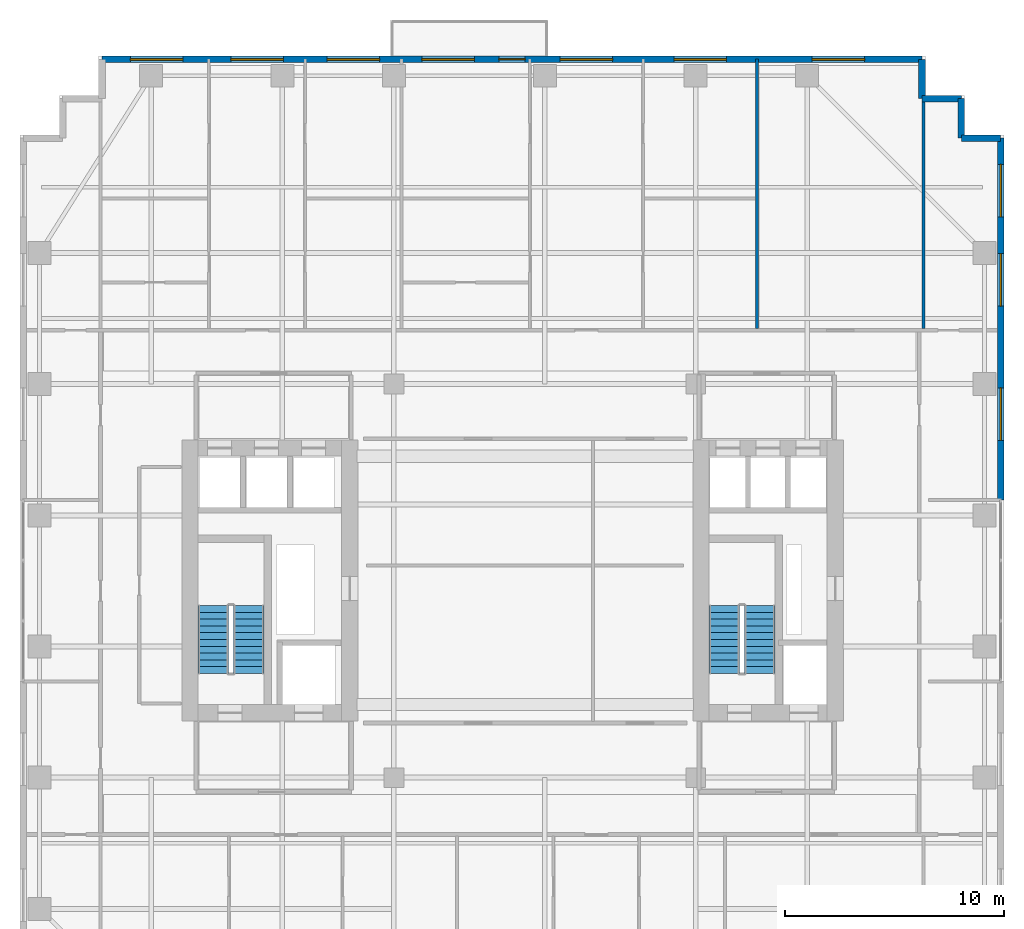
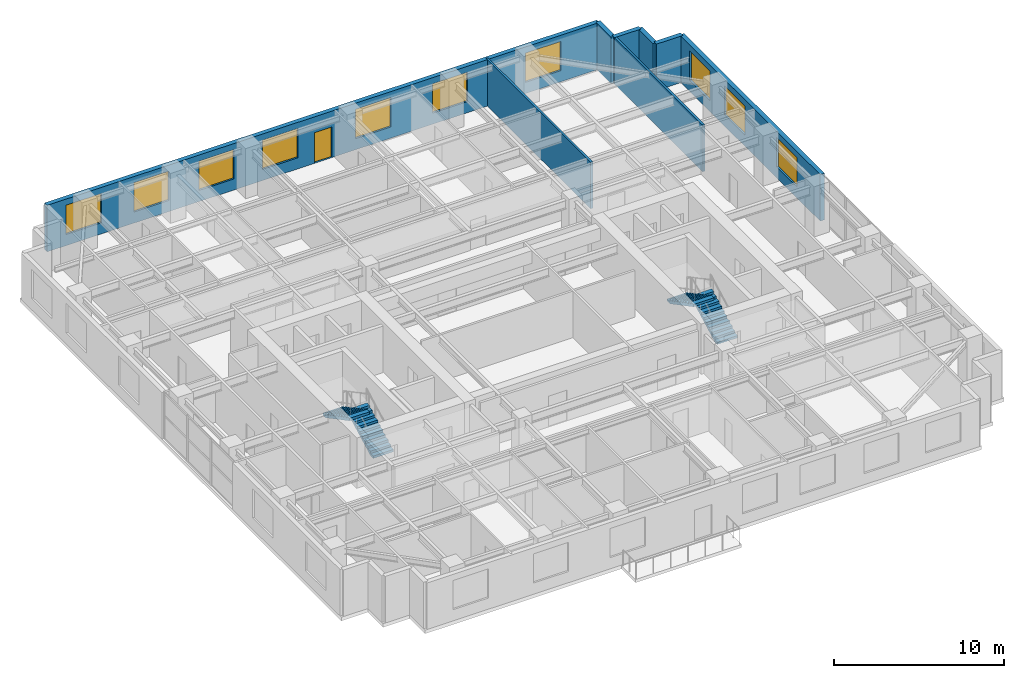
# One storey, part 12 of 16: 10 windows, 8 walls, 4 stair flights, 1 door, 11 openings, 2 elements without a shape of their own.
"""IFC4 building model written with IfcOpenShell, lengths in metres."""

from ifc_helpers import new_model, si_unit, direction, frame, frame_2d, origin, place, context, subcontext, project, spatial, polyline, rectangle, outline, extrude, source, transform, mapped, material, layer, layer_set, type_object, element, fill, aggregate, save


model = new_model("IFC4")

# Units and contexts
model_context = context("Model", 3, precision=1e-05, world=origin(), true_north=direction((0.0, 1.0)))
body_context = subcontext(model_context, "Body", "Model", "MODEL_VIEW")
ifc_project = project(units=[si_unit("LENGTHUNIT", "METRE"), si_unit("AREAUNIT", "SQUARE_METRE"), si_unit("VOLUMEUNIT", "CUBIC_METRE"), si_unit("PLANEANGLEUNIT", "RADIAN"), si_unit("MASSUNIT", "GRAM", prefix="KILO")], contexts=[model_context])

# Site, building, storey
site_placement = place(None, origin())
site = spatial("IfcSite", under=ifc_project, at=site_placement, CompositionType="ELEMENT")
building_placement = place(site_placement, origin())
building = spatial("IfcBuilding", under=site, at=building_placement, Name="Khoralis Quay Care Tower", CompositionType="ELEMENT")
storey_placement = place(building_placement, frame((0.0, 0.0, 137.699951171875)))
storey = spatial("IfcBuildingStorey", under=building, at=storey_placement, Name="L36", CompositionType="ELEMENT", Elevation=137.699951171875)

# Wall, openings, windows
ifc_material_1 = material(Name="Precast concrete C45/55", Category="concrete")
ifc_layer_1 = layer(ifc_material_1, 0.300048828125)
ifc_layer_set_1 = layer_set([ifc_layer_1], Name="Precast concrete C45/55")
wall_type_1 = type_object("IfcWallType", Name="WL-EXT-REF-300", PredefinedType="SOLIDWALL", material=ifc_layer_set_1)
wall_1_placement = place(storey_placement, frame((44.85009765625, 24.699951171875, 0.0), z_axis=(0.0, 0.0, 1.0), x_axis=(0.0, 1.0, 0.0)))
wall_1 = element("IfcWall", 1, at=wall_1_placement, inside=storey, type_object=wall_type_1, Name="L36 External Facade Wall WL-EXT-L36-P1-E5B", PredefinedType="SOLIDWALL", context=body_context, shape_type="SweptSolid", body=[
    extrude(rectangle(XDim=16.550048828125, YDim=0.300048828125, at=frame_2d((8.27490234375, 0.0))), origin(), (0.0, 0.0, 1.0), 3.340087890625),
])
opening_1_placement = place(wall_1_placement, frame((2.72998046875, 0.0, 0.800048828125)))
opening_1 = element("IfcOpeningElement", 2, at=opening_1_placement, cuts=wall_1, Name="Opening W1", PredefinedType="OPENING", context=body_context, shape_type="SweptSolid", body=[
    extrude(rectangle(XDim=2.39990234375, YDim=2.10009765625, at=frame_2d((1.199951171875, 1.050048828125))), frame((0.0, 0.16015625, 0.0), z_axis=(0.0, -1.0, 0.0), x_axis=(1.0, 0.0, 0.0)), (0.0, 0.0, 1.0), 0.320068359375),
])
opening_2_placement = place(wall_1_placement, frame((8.862548828125, 0.0, 0.800048828125)))
opening_2 = element("IfcOpeningElement", 3, at=opening_2_placement, cuts=wall_1, Name="Opening W1", PredefinedType="OPENING", context=body_context, shape_type="SweptSolid", body=[
    extrude(rectangle(XDim=2.39990234375, YDim=2.10009765625, at=frame_2d((1.199951171875, 1.050048828125))), frame((0.0, 0.16015625, 0.0), z_axis=(0.0, -1.0, 0.0), x_axis=(1.0, 0.0, 0.0)), (0.0, 0.0, 1.0), 0.320068359375),
])
opening_3_placement = place(wall_1_placement, frame((12.947509765625, 0.0, 0.800048828125)))
opening_3 = element("IfcOpeningElement", 4, at=opening_3_placement, cuts=wall_1, Name="Opening W1", PredefinedType="OPENING", context=body_context, shape_type="SweptSolid", body=[
    extrude(rectangle(XDim=2.39990234375, YDim=2.10009765625, at=frame_2d((1.199951171875, 1.050048828125))), frame((0.0, 0.16015625, 0.0), z_axis=(0.0, -1.0, 0.0), x_axis=(1.0, 0.0, 0.0)), (0.0, 0.0, 1.0), 0.320068359375),
])
ifc_material_2 = material(Name="Low-E solar-control double glazing", Category="glass")
window_type = type_object("IfcWindowType", Name="WN-POD-2400X2100", PartitioningType="SINGLE_PANEL", PredefinedType="WINDOW", material=ifc_material_2)
shared_shape_1 = source(origin(), body_context, "Body", "SweptSolid", [
    extrude(rectangle(XDim=2.39990234375, YDim=2.10009765625, at=frame_2d((1.199951171875, 1.050048828125))), frame((0.0, 0.030029296875, 0.0), z_axis=(0.0, -1.0, 0.0), x_axis=(1.0, 0.0, 0.0)), (0.0, 0.0, 1.0), 0.06005859375),
])
window_1_placement = place(opening_1_placement, origin())
window_1 = element("IfcWindow", 5, at=window_1_placement, inside=storey, type_object=window_type, Name="WN-L36-P1-E5B Facade Window 01", OverallHeight=2.10009765625, OverallWidth=2.39990234375, PartitioningType="SINGLE_PANEL", PredefinedType="WINDOW", context=body_context, shape_type="MappedRepresentation", body=[
    mapped(shared_shape_1, transform((0.0, 0.0, 0.0), scale=1.0)),
])
fill(opening_1, window_1)
window_2_placement = place(opening_2_placement, origin())
window_2 = element("IfcWindow", 6, at=window_2_placement, inside=storey, type_object=window_type, Name="WN-L36-P1-E5B Facade Window 02", OverallHeight=2.10009765625, OverallWidth=2.39990234375, PartitioningType="SINGLE_PANEL", PredefinedType="WINDOW", context=body_context, shape_type="MappedRepresentation", body=[
    mapped(shared_shape_1, transform((0.0, 0.0, 0.0), scale=1.0)),
])
fill(opening_2, window_2)
window_3_placement = place(opening_3_placement, origin())
window_3 = element("IfcWindow", 7, at=window_3_placement, inside=storey, type_object=window_type, Name="WN-L36-P1-E5B Facade Window 03", OverallHeight=2.10009765625, OverallWidth=2.39990234375, PartitioningType="SINGLE_PANEL", PredefinedType="WINDOW", context=body_context, shape_type="MappedRepresentation", body=[
    mapped(shared_shape_1, transform((0.0, 0.0, 0.0), scale=1.0)),
])
fill(opening_3, window_3)

# Walls
for number, where, z_axis, x_axis, name in (
    (8, (44.85009765625, 41.25, 0.0), (0.0, 0.0, 1.0), (-1.0, 0.0, 0.0), "L36 External Facade Wall WL-EXT-L36-P1-C6"),
    (9, (43.050048828125, 41.25, 0.0), (0.0, 0.0, 1.0), (0.0, 1.0, 0.0), "L36 External Facade Wall WL-EXT-L36-P1-C7"),
    (10, (43.050048828125, 43.050048828125, 0.0), (0.0, 0.0, 1.0), (-1.0, 0.0, 0.0), "L36 External Facade Wall WL-EXT-L36-P1-C8"),
    (11, (41.25, 43.050048828125, 0.0), (0.0, 0.0, 1.0), (0.0, 1.0, 0.0), "L36 External Facade Wall WL-EXT-L36-P1-C9"),
):
    element("IfcWall", number, at=place(storey_placement, frame(where, z_axis=z_axis, x_axis=x_axis)), inside=storey, type_object=wall_type_1, Name=name, PredefinedType="SOLIDWALL", context=body_context, shape_type="SweptSolid", body=[
        extrude(rectangle(XDim=1.800048828125, YDim=0.300048828125, at=frame_2d((0.89990234375, 0.0))), origin(), (0.0, 0.0, 1.0), 3.340087890625),
    ])

# Wall, openings, windows, door
wall_2_placement = place(storey_placement, frame((41.25, 44.85009765625, 0.0), z_axis=(0.0, 0.0, 1.0), x_axis=(-1.0, 0.0, 0.0)))
wall_2 = element("IfcWall", 12, at=wall_2_placement, inside=storey, type_object=wall_type_1, Name="L36 External Facade Wall WL-EXT-L36-P1-E10", PredefinedType="SOLIDWALL", context=body_context, shape_type="SweptSolid", body=[
    extrude(rectangle(XDim=37.5, YDim=0.300048828125, at=frame_2d((18.75, 0.0))), origin(), (0.0, 0.0, 1.0), 3.340087890625),
])
opening_4_placement = place(wall_2_placement, frame((2.6201171875, 0.0, 0.800048828125)))
opening_4 = element("IfcOpeningElement", 13, at=opening_4_placement, cuts=wall_2, Name="Opening W1", PredefinedType="OPENING", context=body_context, shape_type="SweptSolid", body=[
    extrude(rectangle(XDim=2.39990234375, YDim=2.10009765625, at=frame_2d((1.199951171875, 1.050048828125))), frame((0.0, 0.16015625, 0.0), z_axis=(0.0, -1.0, 0.0), x_axis=(1.0, 0.0, 0.0)), (0.0, 0.0, 1.0), 0.320068359375),
])
opening_5_placement = place(wall_2_placement, frame((8.94140625, 0.0, 0.800048828125)))
opening_5 = element("IfcOpeningElement", 14, at=opening_5_placement, cuts=wall_2, Name="Opening W1", PredefinedType="OPENING", context=body_context, shape_type="SweptSolid", body=[
    extrude(rectangle(XDim=2.39990234375, YDim=2.10009765625, at=frame_2d((1.199951171875, 1.050048828125))), frame((0.0, 0.16015625, 0.0), z_axis=(0.0, -1.0, 0.0), x_axis=(1.0, 0.0, 0.0)), (0.0, 0.0, 1.0), 0.320068359375),
])
opening_6_placement = place(wall_2_placement, frame((14.14453125, 0.0, 0.800048828125)))
opening_6 = element("IfcOpeningElement", 15, at=opening_6_placement, cuts=wall_2, Name="Opening W1", PredefinedType="OPENING", context=body_context, shape_type="SweptSolid", body=[
    extrude(rectangle(XDim=2.39990234375, YDim=2.10009765625, at=frame_2d((1.199951171875, 1.050048828125))), frame((0.0, 0.16015625, 0.0), z_axis=(0.0, -1.0, 0.0), x_axis=(1.0, 0.0, 0.0)), (0.0, 0.0, 1.0), 0.320068359375),
])
opening_7_placement = place(wall_2_placement, frame((20.469970703125, 0.0, 0.800048828125)))
opening_7 = element("IfcOpeningElement", 16, at=opening_7_placement, cuts=wall_2, Name="Opening W1", PredefinedType="OPENING", context=body_context, shape_type="SweptSolid", body=[
    extrude(rectangle(XDim=2.39990234375, YDim=2.10009765625, at=frame_2d((1.199951171875, 1.050048828125))), frame((0.0, 0.16015625, 0.0), z_axis=(0.0, -1.0, 0.0), x_axis=(1.0, 0.0, 0.0)), (0.0, 0.0, 1.0), 0.320068359375),
])
opening_8_placement = place(wall_2_placement, frame((24.802978515625, 0.0, 0.800048828125)))
opening_8 = element("IfcOpeningElement", 17, at=opening_8_placement, cuts=wall_2, Name="Opening W1", PredefinedType="OPENING", context=body_context, shape_type="SweptSolid", body=[
    extrude(rectangle(XDim=2.39990234375, YDim=2.10009765625, at=frame_2d((1.199951171875, 1.050048828125))), frame((0.0, 0.16015625, 0.0), z_axis=(0.0, -1.0, 0.0), x_axis=(1.0, 0.0, 0.0)), (0.0, 0.0, 1.0), 0.320068359375),
])
opening_9_placement = place(wall_2_placement, frame((29.20947265625, 0.0, 0.800048828125)))
opening_9 = element("IfcOpeningElement", 18, at=opening_9_placement, cuts=wall_2, Name="Opening W1", PredefinedType="OPENING", context=body_context, shape_type="SweptSolid", body=[
    extrude(rectangle(XDim=2.39990234375, YDim=2.10009765625, at=frame_2d((1.199951171875, 1.050048828125))), frame((0.0, 0.16015625, 0.0), z_axis=(0.0, -1.0, 0.0), x_axis=(1.0, 0.0, 0.0)), (0.0, 0.0, 1.0), 0.320068359375),
])
opening_10_placement = place(wall_2_placement, frame((33.806396484375, 0.0, 0.800048828125)))
opening_10 = element("IfcOpeningElement", 19, at=opening_10_placement, cuts=wall_2, Name="Opening W1", PredefinedType="OPENING", context=body_context, shape_type="SweptSolid", body=[
    extrude(rectangle(XDim=2.39990234375, YDim=2.10009765625, at=frame_2d((1.199951171875, 1.050048828125))), frame((0.0, 0.16015625, 0.0), z_axis=(0.0, -1.0, 0.0), x_axis=(1.0, 0.0, 0.0)), (0.0, 0.0, 1.0), 0.320068359375),
])
opening_11_placement = place(wall_2_placement, frame((18.14990234375, 0.0, 0.0)))
opening_11 = element("IfcOpeningElement", 20, at=opening_11_placement, cuts=wall_2, Name="Opening BD1", PredefinedType="OPENING", context=body_context, shape_type="SweptSolid", body=[
    extrude(rectangle(XDim=1.199951171875, YDim=2.199951171875, at=frame_2d((0.60009765625, 1.10009765625))), frame((0.0, 0.16015625, 0.0), z_axis=(0.0, -1.0, 0.0), x_axis=(1.0, 0.0, 0.0)), (0.0, 0.0, 1.0), 0.320068359375),
])
window_4_placement = place(opening_4_placement, origin())
window_4 = element("IfcWindow", 21, at=window_4_placement, inside=storey, type_object=window_type, Name="WN-L36-P1-E10 Facade Window 01", OverallHeight=2.10009765625, OverallWidth=2.39990234375, PartitioningType="SINGLE_PANEL", PredefinedType="WINDOW", context=body_context, shape_type="MappedRepresentation", body=[
    mapped(shared_shape_1, transform((0.0, 0.0, 0.0), scale=1.0)),
])
fill(opening_4, window_4)
window_5_placement = place(opening_5_placement, origin())
window_5 = element("IfcWindow", 22, at=window_5_placement, inside=storey, type_object=window_type, Name="WN-L36-P1-E10 Facade Window 02", OverallHeight=2.10009765625, OverallWidth=2.39990234375, PartitioningType="SINGLE_PANEL", PredefinedType="WINDOW", context=body_context, shape_type="MappedRepresentation", body=[
    mapped(shared_shape_1, transform((0.0, 0.0, 0.0), scale=1.0)),
])
fill(opening_5, window_5)
window_6_placement = place(opening_6_placement, origin())
window_6 = element("IfcWindow", 23, at=window_6_placement, inside=storey, type_object=window_type, Name="WN-L36-P1-E10 Facade Window 03", OverallHeight=2.10009765625, OverallWidth=2.39990234375, PartitioningType="SINGLE_PANEL", PredefinedType="WINDOW", context=body_context, shape_type="MappedRepresentation", body=[
    mapped(shared_shape_1, transform((0.0, 0.0, 0.0), scale=1.0)),
])
fill(opening_6, window_6)
window_7_placement = place(opening_7_placement, origin())
window_7 = element("IfcWindow", 24, at=window_7_placement, inside=storey, type_object=window_type, Name="WN-L36-P1-E10 Facade Window 04", OverallHeight=2.10009765625, OverallWidth=2.39990234375, PartitioningType="SINGLE_PANEL", PredefinedType="WINDOW", context=body_context, shape_type="MappedRepresentation", body=[
    mapped(shared_shape_1, transform((0.0, 0.0, 0.0), scale=1.0)),
])
fill(opening_7, window_7)
window_8_placement = place(opening_8_placement, origin())
window_8 = element("IfcWindow", 25, at=window_8_placement, inside=storey, type_object=window_type, Name="WN-L36-P1-E10 Facade Window 05", OverallHeight=2.10009765625, OverallWidth=2.39990234375, PartitioningType="SINGLE_PANEL", PredefinedType="WINDOW", context=body_context, shape_type="MappedRepresentation", body=[
    mapped(shared_shape_1, transform((0.0, 0.0, 0.0), scale=1.0)),
])
fill(opening_8, window_8)
window_9_placement = place(opening_9_placement, origin())
window_9 = element("IfcWindow", 26, at=window_9_placement, inside=storey, type_object=window_type, Name="WN-L36-P1-E10 Facade Window 06", OverallHeight=2.10009765625, OverallWidth=2.39990234375, PartitioningType="SINGLE_PANEL", PredefinedType="WINDOW", context=body_context, shape_type="MappedRepresentation", body=[
    mapped(shared_shape_1, transform((0.0, 0.0, 0.0), scale=1.0)),
])
fill(opening_9, window_9)
window_10_placement = place(opening_10_placement, origin())
window_10 = element("IfcWindow", 27, at=window_10_placement, inside=storey, type_object=window_type, Name="WN-L36-P1-E10 Facade Window 07", OverallHeight=2.10009765625, OverallWidth=2.39990234375, PartitioningType="SINGLE_PANEL", PredefinedType="WINDOW", context=body_context, shape_type="MappedRepresentation", body=[
    mapped(shared_shape_1, transform((0.0, 0.0, 0.0), scale=1.0)),
])
fill(opening_10, window_10)
ifc_material_3 = material(Name="Anodised aluminium and laminated safety glass", Category="aluminium")
door_type = type_object("IfcDoorType", Name="DR-EXT-BALC-1200X2200", OperationType="NOTDEFINED", PredefinedType="DOOR", material=ifc_material_3)
shared_shape_2 = source(origin(), body_context, "Body", "SweptSolid", [
    extrude(rectangle(XDim=1.199951171875, YDim=2.199951171875, at=frame_2d((0.60009765625, 1.10009765625))), frame((0.0, 0.02490234375, 0.0), z_axis=(0.0, -1.0, 0.0), x_axis=(1.0, 0.0, 0.0)), (0.0, 0.0, 1.0), 0.050048828125),
])
door_placement = place(opening_11_placement, frame((1.199951171875, 0.0, 0.0), z_axis=(0.0, 0.0, 1.0), x_axis=(-1.0, 0.0, 0.0)))
door = element("IfcDoor", 28, at=door_placement, inside=storey, type_object=door_type, Name="L36 Senior Loggia Balcony Door", OperationType="SINGLE_SWING_LEFT", OverallHeight=2.199951171875, OverallWidth=1.199951171875, PredefinedType="DOOR", context=body_context, shape_type="MappedRepresentation", body=[
    mapped(shared_shape_2, transform((0.0, 0.0, 0.0), scale=1.0)),
])
fill(opening_11, door)

# Walls
ifc_material_4 = material(Name="Gypsum plasterboard on acoustic metal stud")
ifc_layer_2 = layer(ifc_material_4, 0.139892578125)
ifc_layer_set_2 = layer_set([ifc_layer_2], Name="Gypsum plasterboard on acoustic metal stud")
wall_type_2 = type_object("IfcWallType", Name="WL-UNIT-140", PredefinedType="PARTITIONING", material=ifc_layer_set_2)
wall_3_placement = place(storey_placement, frame((33.7099609375, 32.53759765625, 0.0), z_axis=(0.0, 0.0, 1.0), x_axis=(0.0, 1.0, 0.0)))
element("IfcWall", 29, at=wall_3_placement, inside=storey, type_object=wall_type_2, Name="L36 NB Demising Wall 2", PredefinedType="PARTITIONING", context=body_context, shape_type="SweptSolid", body=[
    extrude(rectangle(XDim=12.3173828125, YDim=0.139892578125, at=frame_2d((6.15869140625, 0.0))), origin(), (0.0, 0.0, 1.0), 3.340087890625),
])
wall_4_placement = place(storey_placement, frame((41.320068359375, 32.53759765625, 0.0), z_axis=(0.0, 0.0, 1.0), x_axis=(0.0, 1.0, 0.0)))
element("IfcWall", 30, at=wall_4_placement, inside=storey, type_object=wall_type_2, Name="L36 NB Demising Wall 3", PredefinedType="PARTITIONING", context=body_context, shape_type="SweptSolid", body=[
    extrude(rectangle(XDim=10.517333984375, YDim=0.139892578125, at=frame_2d((5.2587890625, 0.0))), origin(), (0.0, 0.0, 1.0), 3.340087890625),
])

# Stair, stair flights
stair_type = type_object("IfcStairType", Name="ST-TWR-DOGLEG-1400", PredefinedType="HALF_TURN_STAIR", material=ifc_material_1)
stair_1_placement = place(storey_placement, origin())
stair_1 = element("IfcStair", 31, at=stair_1_placement, inside=storey, type_object=stair_type, Name="L36 West Core Exit Stair ST-T1", PredefinedType="HALF_TURN_STAIR")
stair_flight_type = type_object("IfcStairFlightType", Name="SF-TWR-1400", PredefinedType="STRAIGHT", material=ifc_material_1)
shared_shape_3 = source(origin(), body_context, "Body", "SweptSolid", [
    extrude(outline(polyline([(0.0, 0.0), (0.0, 0.16357421875), (0.31005859375, 0.16357421875), (0.31005859375, 0.327392578125), (0.6201171875, 0.327392578125), (0.6201171875, 0.490966796875), (0.929931640625, 0.490966796875), (0.929931640625, 0.654541015625), (1.239990234375, 0.654541015625), (1.239990234375, 0.818115234375), (1.550048828125, 0.818115234375), (1.550048828125, 0.98193359375), (1.860107421875, 0.98193359375), (1.860107421875, 1.1455078125), (2.169921875, 1.1455078125), (2.169921875, 1.30908203125), (2.47998046875, 1.30908203125), (2.47998046875, 1.47265625), (2.7900390625, 1.47265625), (2.7900390625, 1.636474609375), (3.10009765625, 1.636474609375), (3.10009765625, 1.800048828125), (3.10009765625, 1.466796875), (0.321044921875, 0.0), (0.0, 0.0)])), frame((0.0, 0.68994140625, 0.0), z_axis=(0.0, -1.0, 0.0), x_axis=(1.0, 0.0, 0.0)), (0.0, 0.0, 1.0), 1.3798828125),
])
stair_flight_1_placement = place(storey_placement, frame((10.4599609375, 16.77001953125, 0.0), z_axis=(0.0, 0.0, 1.0), x_axis=(0.0, 1.0, 0.0)))
stair_flight_1 = element("IfcStairFlight", 32, at=stair_flight_1_placement, type_object=stair_flight_type, Name="ST-T1 flight 1", NumberOfRisers=11, NumberOfTreads=10, PredefinedType="STRAIGHT", RiserHeight=0.163636364, TreadLength=0.31, context=body_context, shape_type="MappedRepresentation", body=[
    mapped(shared_shape_3, transform((0.0, 0.0, 0.0), scale=1.0)),
])
stair_flight_2_placement = place(storey_placement, frame((8.840087890625, 19.8701171875, 1.800048828125), z_axis=(0.0, 0.0, 1.0), x_axis=(0.0, -1.0, 0.0)))
stair_flight_2 = element("IfcStairFlight", 33, at=stair_flight_2_placement, type_object=stair_flight_type, Name="ST-T1 flight 2", NumberOfRisers=11, NumberOfTreads=10, PredefinedType="STRAIGHT", RiserHeight=0.163636364, TreadLength=0.31, context=body_context, shape_type="MappedRepresentation", body=[
    mapped(shared_shape_3, transform((0.0, 0.0, 0.0), scale=1.0)),
])
aggregate(stair_1, [stair_flight_1, stair_flight_2])

stair_2_placement = place(storey_placement, origin())
stair_2 = element("IfcStair", 34, at=stair_2_placement, inside=storey, type_object=stair_type, Name="L36 East Core Exit Stair ST-T2", PredefinedType="HALF_TURN_STAIR")
stair_flight_3_placement = place(storey_placement, frame((33.830078125, 16.77001953125, 0.0), z_axis=(0.0, 0.0, 1.0), x_axis=(0.0, 1.0, 0.0)))
stair_flight_3 = element("IfcStairFlight", 35, at=stair_flight_3_placement, type_object=stair_flight_type, Name="ST-T2 flight 1", NumberOfRisers=11, NumberOfTreads=10, PredefinedType="STRAIGHT", RiserHeight=0.163636364, TreadLength=0.31, context=body_context, shape_type="MappedRepresentation", body=[
    mapped(shared_shape_3, transform((0.0, 0.0, 0.0), scale=1.0)),
])
stair_flight_4_placement = place(storey_placement, frame((32.2099609375, 19.8701171875, 1.800048828125), z_axis=(0.0, 0.0, 1.0), x_axis=(0.0, -1.0, 0.0)))
stair_flight_4 = element("IfcStairFlight", 36, at=stair_flight_4_placement, type_object=stair_flight_type, Name="ST-T2 flight 2", NumberOfRisers=11, NumberOfTreads=10, PredefinedType="STRAIGHT", RiserHeight=0.163636364, TreadLength=0.31, context=body_context, shape_type="MappedRepresentation", body=[
    mapped(shared_shape_3, transform((0.0, 0.0, 0.0), scale=1.0)),
])
aggregate(stair_2, [stair_flight_3, stair_flight_4])

save(model, "model.ifc")
